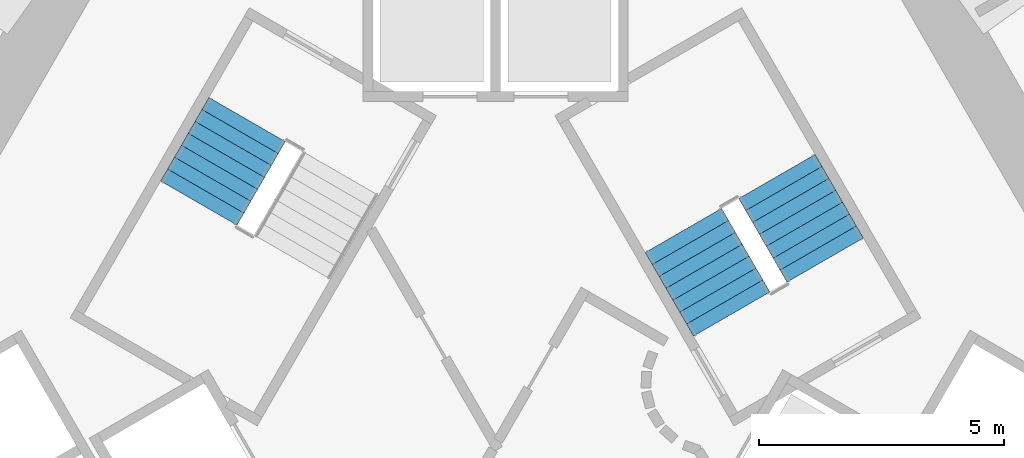
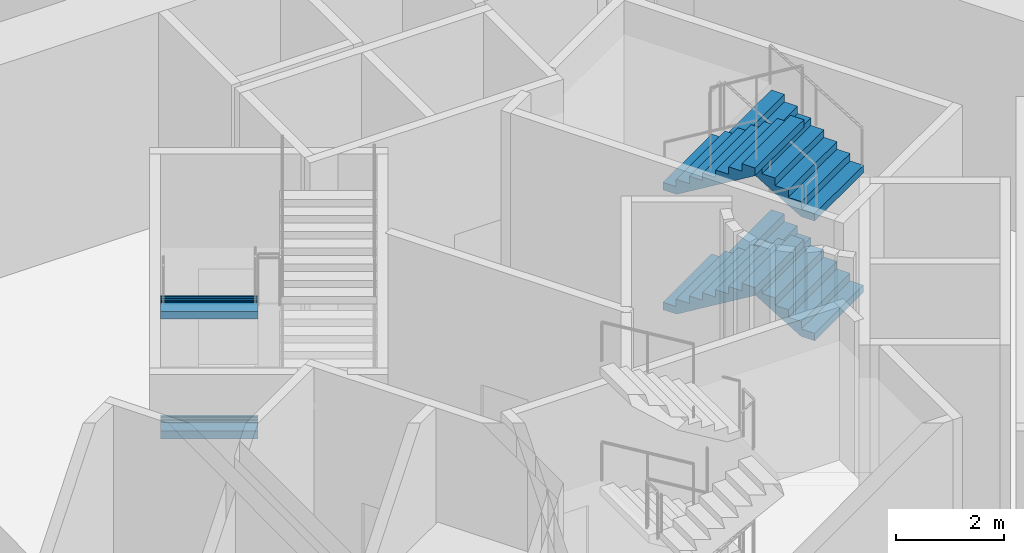
# One storey, part 12 of 20: 6 stair flights, 2 elements without a shape of their own.
"""IFC4 building model written with IfcOpenShell, lengths in metres."""

from ifc_helpers import new_model, si_unit, direction, frame, origin, place, context, subcontext, project, spatial, triangles, material, type_object, element, aggregate, save


model = new_model("IFC4")

# Units and contexts
model_context = context("Model", 3, precision=1e-05, world=origin(), true_north=direction((0.0, 1.0)))
body_context = subcontext(model_context, "Body", "Model", "MODEL_VIEW")
ifc_project = project(units=[si_unit("LENGTHUNIT", "METRE"), si_unit("AREAUNIT", "SQUARE_METRE"), si_unit("VOLUMEUNIT", "CUBIC_METRE"), si_unit("PLANEANGLEUNIT", "RADIAN"), si_unit("MASSUNIT", "GRAM", prefix="KILO")], contexts=[model_context])

# Site, building, storey
site_placement = place(None, origin())
site = spatial("IfcSite", under=ifc_project, at=site_placement, CompositionType="ELEMENT")
building_placement = place(site_placement, origin())
building = spatial("IfcBuilding", under=site, at=building_placement, Name="Entoto Arch Interchange Tower", CompositionType="ELEMENT")
storey_placement = place(building_placement, frame((0.0, 0.0, 184.39990234375)))
storey = spatial("IfcBuildingStorey", under=building, at=storey_placement, Name="L41", CompositionType="ELEMENT", Elevation=184.39990234375)

# Stair, stair flights
ifc_material = material(Name="Concrete C40/50", Category="concrete")
stair_type = type_object("IfcStairType", Name="EXIT STAIR RC 1800", PredefinedType="HALF_TURN_STAIR", material=ifc_material)
stair_1_placement = place(storey_placement, origin())
stair_1 = element("IfcStair", 1, at=stair_1_placement, inside=storey, type_object=stair_type, Name="L41 Exit stair NE", PredefinedType="HALF_TURN_STAIR")
stair_flight_type = type_object("IfcStairFlightType", Name="EXIT STAIR FLIGHT RC 1800", PredefinedType="STRAIGHT", material=ifc_material)
stair_flight_1_placement = place(storey_placement, frame((6.7138671875, 4.470947265625, 0.0), z_axis=(0.0, 0.0, 1.0), x_axis=(-0.5, 0.866025403784, 0.0)))
stair_flight_1 = element("IfcStairFlight", 2, at=stair_flight_1_placement, type_object=stair_flight_type, Name="ST-NE flight 1", NumberOfRisers=8, NumberOfTreads=7, PredefinedType="STRAIGHT", RiserHeight=0.16875, TreadLength=0.28, context=body_context, shape_type="Tessellation", body=[
    triangles([(-0.003, -0.900024, 0.0), (-0.003, -0.900024, 0.16875), (0.28, -0.900024, 0.16875), (0.28, -0.900024, 0.3375), (0.56, -0.900024, 0.3375), (0.56, -0.900024, 0.50625), (0.84, -0.900024, 0.50625), (0.84, -0.900024, 0.675), (1.12, -0.900024, 0.675), (1.12, -0.900024, 0.84375), (1.4, -0.900024, 0.84375), (1.4, -0.900024, 1.0125), (1.68, -0.900024, 1.0125), (1.68, -0.900024, 1.18125), (1.96, -0.900024, 1.18125), (1.963, -0.900024, 1.18125), (1.963, -0.900024, 1.008036), (0.290406, -0.900024, 0.0), (-0.003, 0.900024, 0.0), (-0.003, 0.900024, 0.16875), (0.28, 0.900024, 0.16875), (0.28, 0.900024, 0.3375), (0.56, 0.900024, 0.3375), (0.56, 0.900024, 0.50625), (0.84, 0.900024, 0.50625), (0.84, 0.900024, 0.675), (1.12, 0.900024, 0.675), (1.12, 0.900024, 0.84375), (1.4, 0.900024, 0.84375), (1.4, 0.900024, 1.0125), (1.68, 0.900024, 1.0125), (1.68, 0.900024, 1.18125), (1.96, 0.900024, 1.18125), (1.963, 0.900024, 1.18125), (1.963, 0.900024, 1.008036), (0.290406, 0.900024, 0.0), (-0.003, -0.450012, 0.0), (-0.003, -0.450012, 0.16875), (-0.003, 0.0, 0.0), (-0.003, 0.0, 0.16875), (-0.003, 0.450012, 0.0), (-0.003, 0.450012, 0.16875), (0.28, -0.450012, 0.16875), (0.28, 0.0, 0.16875), (0.28, 0.450012, 0.16875), (0.28, -0.450012, 0.3375), (0.28, 0.0, 0.3375), (0.28, 0.450012, 0.3375), (0.56, -0.450012, 0.3375), (0.56, 0.0, 0.3375), (0.56, 0.450012, 0.3375), (0.56, -0.450012, 0.50625), (0.56, 0.0, 0.50625), (0.56, 0.450012, 0.50625), (0.84, -0.450012, 0.50625), (0.84, 0.0, 0.50625), (0.84, 0.450012, 0.50625), (0.84, -0.450012, 0.675), (0.84, 0.0, 0.675), (0.84, 0.450012, 0.675), (1.12, -0.450012, 0.675), (1.12, 0.0, 0.675), (1.12, 0.450012, 0.675), (1.12, -0.450012, 0.84375), (1.12, 0.0, 0.84375), (1.12, 0.450012, 0.84375), (1.4, -0.450012, 0.84375), (1.4, 0.0, 0.84375), (1.4, 0.450012, 0.84375), (1.4, -0.450012, 1.0125), (1.4, 0.0, 1.0125), (1.4, 0.450012, 1.0125), (1.68, -0.450012, 1.0125), (1.68, 0.0, 1.0125), (1.68, 0.450012, 1.0125), (1.68, -0.450012, 1.18125), (1.68, 0.0, 1.18125), (1.68, 0.450012, 1.18125), (1.96, -0.450012, 1.18125), (1.96, 0.0, 1.18125), (1.96, 0.450012, 1.18125), (1.963, -0.450012, 1.18125), (1.963, 0.0, 1.18125), (1.963, 0.450012, 1.18125), (1.963, -0.450012, 1.008036), (1.963, 0.0, 1.008036), (1.963, 0.450012, 1.008036), (0.290406, -0.450012, 0.0), (0.290406, 0.0, 0.0), (0.290406, 0.450012, 0.0)], [[1, 18, 17], [17, 16, 15], [17, 15, 14], [17, 14, 13], [17, 13, 12], [17, 12, 11], [11, 10, 9], [17, 11, 9], [9, 8, 7], [17, 9, 7], [7, 6, 5], [17, 7, 5], [5, 4, 3], [17, 5, 3], [1, 17, 3], [3, 2, 1], [19, 35, 36], [35, 33, 34], [35, 32, 33], [35, 31, 32], [35, 30, 31], [35, 29, 30], [29, 27, 28], [35, 27, 29], [27, 25, 26], [35, 25, 27], [25, 23, 24], [35, 23, 25], [23, 21, 22], [35, 21, 23], [19, 21, 35], [21, 19, 20], [1, 2, 38], [1, 38, 37], [37, 38, 40], [37, 40, 39], [39, 40, 42], [39, 42, 41], [41, 42, 20], [41, 20, 19], [2, 3, 43], [2, 43, 38], [38, 43, 44], [38, 44, 40], [40, 44, 45], [40, 45, 42], [42, 45, 21], [42, 21, 20], [3, 4, 46], [3, 46, 43], [43, 46, 47], [43, 47, 44], [44, 47, 48], [44, 48, 45], [45, 48, 22], [45, 22, 21], [4, 5, 49], [4, 49, 46], [46, 49, 50], [46, 50, 47], [47, 50, 51], [47, 51, 48], [48, 51, 23], [48, 23, 22], [5, 6, 52], [5, 52, 49], [49, 52, 53], [49, 53, 50], [50, 53, 54], [50, 54, 51], [51, 54, 24], [51, 24, 23], [6, 7, 55], [6, 55, 52], [52, 55, 56], [52, 56, 53], [53, 56, 57], [53, 57, 54], [54, 57, 25], [54, 25, 24], [7, 8, 58], [7, 58, 55], [55, 58, 59], [55, 59, 56], [56, 59, 60], [56, 60, 57], [57, 60, 26], [57, 26, 25], [8, 9, 61], [8, 61, 58], [58, 61, 62], [58, 62, 59], [59, 62, 63], [59, 63, 60], [60, 63, 27], [60, 27, 26], [9, 10, 64], [9, 64, 61], [61, 64, 65], [61, 65, 62], [62, 65, 66], [62, 66, 63], [63, 66, 28], [63, 28, 27], [10, 11, 67], [10, 67, 64], [64, 67, 68], [64, 68, 65], [65, 68, 69], [65, 69, 66], [66, 69, 29], [66, 29, 28], [11, 12, 70], [11, 70, 67], [67, 70, 71], [67, 71, 68], [68, 71, 72], [68, 72, 69], [69, 72, 30], [69, 30, 29], [12, 13, 73], [12, 73, 70], [70, 73, 74], [70, 74, 71], [71, 74, 75], [71, 75, 72], [72, 75, 31], [72, 31, 30], [13, 14, 76], [13, 76, 73], [73, 76, 77], [73, 77, 74], [74, 77, 78], [74, 78, 75], [75, 78, 32], [75, 32, 31], [14, 15, 79], [14, 79, 76], [76, 79, 80], [76, 80, 77], [77, 80, 81], [77, 81, 78], [78, 81, 33], [78, 33, 32], [15, 16, 82], [15, 82, 79], [79, 82, 83], [79, 83, 80], [80, 83, 84], [80, 84, 81], [81, 84, 34], [81, 34, 33], [16, 17, 85], [16, 85, 82], [82, 85, 86], [82, 86, 83], [83, 86, 87], [83, 87, 84], [84, 87, 35], [84, 35, 34], [17, 18, 88], [17, 88, 85], [85, 88, 89], [85, 89, 86], [86, 89, 90], [86, 90, 87], [87, 90, 36], [87, 36, 35], [18, 1, 37], [18, 37, 88], [88, 37, 39], [88, 39, 89], [89, 39, 41], [89, 41, 90], [90, 41, 19], [90, 19, 36]], closed=True),
])
stair_flight_2_placement = place(storey_placement, frame((3.82861328125, 5.068359375, 1.35009765625), z_axis=(0.0, 0.0, 1.0), x_axis=(0.5, -0.866025403784, 0.0)))
stair_flight_2 = element("IfcStairFlight", 3, at=stair_flight_2_placement, type_object=stair_flight_type, Name="ST-NE flight 2", NumberOfRisers=8, NumberOfTreads=7, PredefinedType="STRAIGHT", RiserHeight=0.16875, TreadLength=0.28, context=body_context, shape_type="Tessellation", body=[
    triangles([(-0.003, -0.900024, 0.0), (-0.003, -0.900024, 0.16875), (0.28, -0.900024, 0.16875), (0.28, -0.900024, 0.3375), (0.56, -0.900024, 0.3375), (0.56, -0.900024, 0.50625), (0.84, -0.900024, 0.50625), (0.84, -0.900024, 0.675), (1.12, -0.900024, 0.675), (1.12, -0.900024, 0.84375), (1.4, -0.900024, 0.84375), (1.4, -0.900024, 1.0125), (1.68, -0.900024, 1.0125), (1.68, -0.900024, 1.18125), (1.96, -0.900024, 1.18125), (1.963, -0.900024, 1.18125), (1.963, -0.900024, 1.008036), (0.290406, -0.900024, 0.0), (-0.003, 0.900024, 0.0), (-0.003, 0.900024, 0.16875), (0.28, 0.900024, 0.16875), (0.28, 0.900024, 0.3375), (0.56, 0.900024, 0.3375), (0.56, 0.900024, 0.50625), (0.84, 0.900024, 0.50625), (0.84, 0.900024, 0.675), (1.12, 0.900024, 0.675), (1.12, 0.900024, 0.84375), (1.4, 0.900024, 0.84375), (1.4, 0.900024, 1.0125), (1.68, 0.900024, 1.0125), (1.68, 0.900024, 1.18125), (1.96, 0.900024, 1.18125), (1.963, 0.900024, 1.18125), (1.963, 0.900024, 1.008036), (0.290406, 0.900024, 0.0), (-0.003, -0.450012, 0.0), (-0.003, -0.450012, 0.16875), (-0.003, 0.0, 0.0), (-0.003, 0.0, 0.16875), (-0.003, 0.450012, 0.0), (-0.003, 0.450012, 0.16875), (0.28, -0.450012, 0.16875), (0.28, 0.0, 0.16875), (0.28, 0.450012, 0.16875), (0.28, -0.450012, 0.3375), (0.28, 0.0, 0.3375), (0.28, 0.450012, 0.3375), (0.56, -0.450012, 0.3375), (0.56, 0.0, 0.3375), (0.56, 0.450012, 0.3375), (0.56, -0.450012, 0.50625), (0.56, 0.0, 0.50625), (0.56, 0.450012, 0.50625), (0.84, -0.450012, 0.50625), (0.84, 0.0, 0.50625), (0.84, 0.450012, 0.50625), (0.84, -0.450012, 0.675), (0.84, 0.0, 0.675), (0.84, 0.450012, 0.675), (1.12, -0.450012, 0.675), (1.12, 0.0, 0.675), (1.12, 0.450012, 0.675), (1.12, -0.450012, 0.84375), (1.12, 0.0, 0.84375), (1.12, 0.450012, 0.84375), (1.4, -0.450012, 0.84375), (1.4, 0.0, 0.84375), (1.4, 0.450012, 0.84375), (1.4, -0.450012, 1.0125), (1.4, 0.0, 1.0125), (1.4, 0.450012, 1.0125), (1.68, -0.450012, 1.0125), (1.68, 0.0, 1.0125), (1.68, 0.450012, 1.0125), (1.68, -0.450012, 1.18125), (1.68, 0.0, 1.18125), (1.68, 0.450012, 1.18125), (1.96, -0.450012, 1.18125), (1.96, 0.0, 1.18125), (1.96, 0.450012, 1.18125), (1.963, -0.450012, 1.18125), (1.963, 0.0, 1.18125), (1.963, 0.450012, 1.18125), (1.963, -0.450012, 1.008036), (1.963, 0.0, 1.008036), (1.963, 0.450012, 1.008036), (0.290406, -0.450012, 0.0), (0.290406, 0.0, 0.0), (0.290406, 0.450012, 0.0)], [[1, 18, 17], [17, 16, 15], [17, 15, 14], [17, 14, 13], [17, 13, 12], [17, 12, 11], [11, 10, 9], [17, 11, 9], [9, 8, 7], [17, 9, 7], [7, 6, 5], [17, 7, 5], [5, 4, 3], [17, 5, 3], [1, 17, 3], [3, 2, 1], [19, 35, 36], [35, 33, 34], [35, 32, 33], [35, 31, 32], [35, 30, 31], [35, 29, 30], [29, 27, 28], [35, 27, 29], [27, 25, 26], [35, 25, 27], [25, 23, 24], [35, 23, 25], [23, 21, 22], [35, 21, 23], [19, 21, 35], [21, 19, 20], [1, 2, 38], [1, 38, 37], [37, 38, 40], [37, 40, 39], [39, 40, 42], [39, 42, 41], [41, 42, 20], [41, 20, 19], [2, 3, 43], [2, 43, 38], [38, 43, 44], [38, 44, 40], [40, 44, 45], [40, 45, 42], [42, 45, 21], [42, 21, 20], [3, 4, 46], [3, 46, 43], [43, 46, 47], [43, 47, 44], [44, 47, 48], [44, 48, 45], [45, 48, 22], [45, 22, 21], [4, 5, 49], [4, 49, 46], [46, 49, 50], [46, 50, 47], [47, 50, 51], [47, 51, 48], [48, 51, 23], [48, 23, 22], [5, 6, 52], [5, 52, 49], [49, 52, 53], [49, 53, 50], [50, 53, 54], [50, 54, 51], [51, 54, 24], [51, 24, 23], [6, 7, 55], [6, 55, 52], [52, 55, 56], [52, 56, 53], [53, 56, 57], [53, 57, 54], [54, 57, 25], [54, 25, 24], [7, 8, 58], [7, 58, 55], [55, 58, 59], [55, 59, 56], [56, 59, 60], [56, 60, 57], [57, 60, 26], [57, 26, 25], [8, 9, 61], [8, 61, 58], [58, 61, 62], [58, 62, 59], [59, 62, 63], [59, 63, 60], [60, 63, 27], [60, 27, 26], [9, 10, 64], [9, 64, 61], [61, 64, 65], [61, 65, 62], [62, 65, 66], [62, 66, 63], [63, 66, 28], [63, 28, 27], [10, 11, 67], [10, 67, 64], [64, 67, 68], [64, 68, 65], [65, 68, 69], [65, 69, 66], [66, 69, 29], [66, 29, 28], [11, 12, 70], [11, 70, 67], [67, 70, 71], [67, 71, 68], [68, 71, 72], [68, 72, 69], [69, 72, 30], [69, 30, 29], [12, 13, 73], [12, 73, 70], [70, 73, 74], [70, 74, 71], [71, 74, 75], [71, 75, 72], [72, 75, 31], [72, 31, 30], [13, 14, 76], [13, 76, 73], [73, 76, 77], [73, 77, 74], [74, 77, 78], [74, 78, 75], [75, 78, 32], [75, 32, 31], [14, 15, 79], [14, 79, 76], [76, 79, 80], [76, 80, 77], [77, 80, 81], [77, 81, 78], [78, 81, 33], [78, 33, 32], [15, 16, 82], [15, 82, 79], [79, 82, 83], [79, 83, 80], [80, 83, 84], [80, 84, 81], [81, 84, 34], [81, 34, 33], [16, 17, 85], [16, 85, 82], [82, 85, 86], [82, 86, 83], [83, 86, 87], [83, 87, 84], [84, 87, 35], [84, 35, 34], [17, 18, 88], [17, 88, 85], [85, 88, 89], [85, 89, 86], [86, 89, 90], [86, 90, 87], [87, 90, 36], [87, 36, 35], [18, 1, 37], [18, 37, 88], [88, 37, 39], [88, 39, 89], [89, 39, 41], [89, 41, 90], [90, 41, 19], [90, 19, 36]], closed=True),
])
stair_flight_3_placement = place(storey_placement, frame((6.7138671875, 4.470947265625, 2.7001953125), z_axis=(0.0, 0.0, 1.0), x_axis=(-0.5, 0.866025403784, 0.0)))
stair_flight_3 = element("IfcStairFlight", 4, at=stair_flight_3_placement, type_object=stair_flight_type, Name="ST-NE flight 3", NumberOfRisers=8, NumberOfTreads=7, PredefinedType="STRAIGHT", RiserHeight=0.16875, TreadLength=0.28, context=body_context, shape_type="Tessellation", body=[
    triangles([(-0.003, -0.900024, 0.0), (-0.003, -0.900024, 0.16875), (0.28, -0.900024, 0.16875), (0.28, -0.900024, 0.3375), (0.56, -0.900024, 0.3375), (0.56, -0.900024, 0.50625), (0.84, -0.900024, 0.50625), (0.84, -0.900024, 0.675), (1.12, -0.900024, 0.675), (1.12, -0.900024, 0.84375), (1.4, -0.900024, 0.84375), (1.4, -0.900024, 1.0125), (1.68, -0.900024, 1.0125), (1.68, -0.900024, 1.18125), (1.96, -0.900024, 1.18125), (1.963, -0.900024, 1.18125), (1.963, -0.900024, 1.008036), (0.290406, -0.900024, 0.0), (-0.003, 0.900024, 0.0), (-0.003, 0.900024, 0.16875), (0.28, 0.900024, 0.16875), (0.28, 0.900024, 0.3375), (0.56, 0.900024, 0.3375), (0.56, 0.900024, 0.50625), (0.84, 0.900024, 0.50625), (0.84, 0.900024, 0.675), (1.12, 0.900024, 0.675), (1.12, 0.900024, 0.84375), (1.4, 0.900024, 0.84375), (1.4, 0.900024, 1.0125), (1.68, 0.900024, 1.0125), (1.68, 0.900024, 1.18125), (1.96, 0.900024, 1.18125), (1.963, 0.900024, 1.18125), (1.963, 0.900024, 1.008036), (0.290406, 0.900024, 0.0), (-0.003, -0.450012, 0.0), (-0.003, -0.450012, 0.16875), (-0.003, 0.0, 0.0), (-0.003, 0.0, 0.16875), (-0.003, 0.450012, 0.0), (-0.003, 0.450012, 0.16875), (0.28, -0.450012, 0.16875), (0.28, 0.0, 0.16875), (0.28, 0.450012, 0.16875), (0.28, -0.450012, 0.3375), (0.28, 0.0, 0.3375), (0.28, 0.450012, 0.3375), (0.56, -0.450012, 0.3375), (0.56, 0.0, 0.3375), (0.56, 0.450012, 0.3375), (0.56, -0.450012, 0.50625), (0.56, 0.0, 0.50625), (0.56, 0.450012, 0.50625), (0.84, -0.450012, 0.50625), (0.84, 0.0, 0.50625), (0.84, 0.450012, 0.50625), (0.84, -0.450012, 0.675), (0.84, 0.0, 0.675), (0.84, 0.450012, 0.675), (1.12, -0.450012, 0.675), (1.12, 0.0, 0.675), (1.12, 0.450012, 0.675), (1.12, -0.450012, 0.84375), (1.12, 0.0, 0.84375), (1.12, 0.450012, 0.84375), (1.4, -0.450012, 0.84375), (1.4, 0.0, 0.84375), (1.4, 0.450012, 0.84375), (1.4, -0.450012, 1.0125), (1.4, 0.0, 1.0125), (1.4, 0.450012, 1.0125), (1.68, -0.450012, 1.0125), (1.68, 0.0, 1.0125), (1.68, 0.450012, 1.0125), (1.68, -0.450012, 1.18125), (1.68, 0.0, 1.18125), (1.68, 0.450012, 1.18125), (1.96, -0.450012, 1.18125), (1.96, 0.0, 1.18125), (1.96, 0.450012, 1.18125), (1.963, -0.450012, 1.18125), (1.963, 0.0, 1.18125), (1.963, 0.450012, 1.18125), (1.963, -0.450012, 1.008036), (1.963, 0.0, 1.008036), (1.963, 0.450012, 1.008036), (0.290406, -0.450012, 0.0), (0.290406, 0.0, 0.0), (0.290406, 0.450012, 0.0)], [[1, 18, 17], [17, 16, 15], [17, 15, 14], [17, 14, 13], [17, 13, 12], [17, 12, 11], [11, 10, 9], [17, 11, 9], [9, 8, 7], [17, 9, 7], [7, 6, 5], [17, 7, 5], [5, 4, 3], [17, 5, 3], [1, 17, 3], [3, 2, 1], [19, 35, 36], [35, 33, 34], [35, 32, 33], [35, 31, 32], [35, 30, 31], [35, 29, 30], [29, 27, 28], [35, 27, 29], [27, 25, 26], [35, 25, 27], [25, 23, 24], [35, 23, 25], [23, 21, 22], [35, 21, 23], [19, 21, 35], [21, 19, 20], [1, 2, 38], [1, 38, 37], [37, 38, 40], [37, 40, 39], [39, 40, 42], [39, 42, 41], [41, 42, 20], [41, 20, 19], [2, 3, 43], [2, 43, 38], [38, 43, 44], [38, 44, 40], [40, 44, 45], [40, 45, 42], [42, 45, 21], [42, 21, 20], [3, 4, 46], [3, 46, 43], [43, 46, 47], [43, 47, 44], [44, 47, 48], [44, 48, 45], [45, 48, 22], [45, 22, 21], [4, 5, 49], [4, 49, 46], [46, 49, 50], [46, 50, 47], [47, 50, 51], [47, 51, 48], [48, 51, 23], [48, 23, 22], [5, 6, 52], [5, 52, 49], [49, 52, 53], [49, 53, 50], [50, 53, 54], [50, 54, 51], [51, 54, 24], [51, 24, 23], [6, 7, 55], [6, 55, 52], [52, 55, 56], [52, 56, 53], [53, 56, 57], [53, 57, 54], [54, 57, 25], [54, 25, 24], [7, 8, 58], [7, 58, 55], [55, 58, 59], [55, 59, 56], [56, 59, 60], [56, 60, 57], [57, 60, 26], [57, 26, 25], [8, 9, 61], [8, 61, 58], [58, 61, 62], [58, 62, 59], [59, 62, 63], [59, 63, 60], [60, 63, 27], [60, 27, 26], [9, 10, 64], [9, 64, 61], [61, 64, 65], [61, 65, 62], [62, 65, 66], [62, 66, 63], [63, 66, 28], [63, 28, 27], [10, 11, 67], [10, 67, 64], [64, 67, 68], [64, 68, 65], [65, 68, 69], [65, 69, 66], [66, 69, 29], [66, 29, 28], [11, 12, 70], [11, 70, 67], [67, 70, 71], [67, 71, 68], [68, 71, 72], [68, 72, 69], [69, 72, 30], [69, 30, 29], [12, 13, 73], [12, 73, 70], [70, 73, 74], [70, 74, 71], [71, 74, 75], [71, 75, 72], [72, 75, 31], [72, 31, 30], [13, 14, 76], [13, 76, 73], [73, 76, 77], [73, 77, 74], [74, 77, 78], [74, 78, 75], [75, 78, 32], [75, 32, 31], [14, 15, 79], [14, 79, 76], [76, 79, 80], [76, 80, 77], [77, 80, 81], [77, 81, 78], [78, 81, 33], [78, 33, 32], [15, 16, 82], [15, 82, 79], [79, 82, 83], [79, 83, 80], [80, 83, 84], [80, 84, 81], [81, 84, 34], [81, 34, 33], [16, 17, 85], [16, 85, 82], [82, 85, 86], [82, 86, 83], [83, 86, 87], [83, 87, 84], [84, 87, 35], [84, 35, 34], [17, 18, 88], [17, 88, 85], [85, 88, 89], [85, 89, 86], [86, 89, 90], [86, 90, 87], [87, 90, 36], [87, 36, 35], [18, 1, 37], [18, 37, 88], [88, 37, 39], [88, 39, 89], [89, 39, 41], [89, 41, 90], [90, 41, 19], [90, 19, 36]], closed=True),
])
stair_flight_4_placement = place(storey_placement, frame((3.82861328125, 5.068359375, 4.050048828125), z_axis=(0.0, 0.0, 1.0), x_axis=(0.5, -0.866025403784, 0.0)))
stair_flight_4 = element("IfcStairFlight", 5, at=stair_flight_4_placement, type_object=stair_flight_type, Name="ST-NE flight 4", NumberOfRisers=8, NumberOfTreads=7, PredefinedType="STRAIGHT", RiserHeight=0.16875, TreadLength=0.28, context=body_context, shape_type="Tessellation", body=[
    triangles([(-0.003, -0.900024, 0.0), (-0.003, -0.900024, 0.16875), (0.28, -0.900024, 0.16875), (0.28, -0.900024, 0.3375), (0.56, -0.900024, 0.3375), (0.56, -0.900024, 0.50625), (0.84, -0.900024, 0.50625), (0.84, -0.900024, 0.675), (1.12, -0.900024, 0.675), (1.12, -0.900024, 0.84375), (1.4, -0.900024, 0.84375), (1.4, -0.900024, 1.0125), (1.68, -0.900024, 1.0125), (1.68, -0.900024, 1.18125), (1.96, -0.900024, 1.18125), (1.963, -0.900024, 1.18125), (1.963, -0.900024, 1.008036), (0.290406, -0.900024, 0.0), (-0.003, 0.900024, 0.0), (-0.003, 0.900024, 0.16875), (0.28, 0.900024, 0.16875), (0.28, 0.900024, 0.3375), (0.56, 0.900024, 0.3375), (0.56, 0.900024, 0.50625), (0.84, 0.900024, 0.50625), (0.84, 0.900024, 0.675), (1.12, 0.900024, 0.675), (1.12, 0.900024, 0.84375), (1.4, 0.900024, 0.84375), (1.4, 0.900024, 1.0125), (1.68, 0.900024, 1.0125), (1.68, 0.900024, 1.18125), (1.96, 0.900024, 1.18125), (1.963, 0.900024, 1.18125), (1.963, 0.900024, 1.008036), (0.290406, 0.900024, 0.0), (-0.003, -0.450012, 0.0), (-0.003, -0.450012, 0.16875), (-0.003, 0.0, 0.0), (-0.003, 0.0, 0.16875), (-0.003, 0.450012, 0.0), (-0.003, 0.450012, 0.16875), (0.28, -0.450012, 0.16875), (0.28, 0.0, 0.16875), (0.28, 0.450012, 0.16875), (0.28, -0.450012, 0.3375), (0.28, 0.0, 0.3375), (0.28, 0.450012, 0.3375), (0.56, -0.450012, 0.3375), (0.56, 0.0, 0.3375), (0.56, 0.450012, 0.3375), (0.56, -0.450012, 0.50625), (0.56, 0.0, 0.50625), (0.56, 0.450012, 0.50625), (0.84, -0.450012, 0.50625), (0.84, 0.0, 0.50625), (0.84, 0.450012, 0.50625), (0.84, -0.450012, 0.675), (0.84, 0.0, 0.675), (0.84, 0.450012, 0.675), (1.12, -0.450012, 0.675), (1.12, 0.0, 0.675), (1.12, 0.450012, 0.675), (1.12, -0.450012, 0.84375), (1.12, 0.0, 0.84375), (1.12, 0.450012, 0.84375), (1.4, -0.450012, 0.84375), (1.4, 0.0, 0.84375), (1.4, 0.450012, 0.84375), (1.4, -0.450012, 1.0125), (1.4, 0.0, 1.0125), (1.4, 0.450012, 1.0125), (1.68, -0.450012, 1.0125), (1.68, 0.0, 1.0125), (1.68, 0.450012, 1.0125), (1.68, -0.450012, 1.18125), (1.68, 0.0, 1.18125), (1.68, 0.450012, 1.18125), (1.96, -0.450012, 1.18125), (1.96, 0.0, 1.18125), (1.96, 0.450012, 1.18125), (1.963, -0.450012, 1.18125), (1.963, 0.0, 1.18125), (1.963, 0.450012, 1.18125), (1.963, -0.450012, 1.008036), (1.963, 0.0, 1.008036), (1.963, 0.450012, 1.008036), (0.290406, -0.450012, 0.0), (0.290406, 0.0, 0.0), (0.290406, 0.450012, 0.0)], [[1, 18, 17], [17, 16, 15], [17, 15, 14], [17, 14, 13], [17, 13, 12], [17, 12, 11], [11, 10, 9], [17, 11, 9], [9, 8, 7], [17, 9, 7], [7, 6, 5], [17, 7, 5], [5, 4, 3], [17, 5, 3], [1, 17, 3], [3, 2, 1], [19, 35, 36], [35, 33, 34], [35, 32, 33], [35, 31, 32], [35, 30, 31], [35, 29, 30], [29, 27, 28], [35, 27, 29], [27, 25, 26], [35, 25, 27], [25, 23, 24], [35, 23, 25], [23, 21, 22], [35, 21, 23], [19, 21, 35], [21, 19, 20], [1, 2, 38], [1, 38, 37], [37, 38, 40], [37, 40, 39], [39, 40, 42], [39, 42, 41], [41, 42, 20], [41, 20, 19], [2, 3, 43], [2, 43, 38], [38, 43, 44], [38, 44, 40], [40, 44, 45], [40, 45, 42], [42, 45, 21], [42, 21, 20], [3, 4, 46], [3, 46, 43], [43, 46, 47], [43, 47, 44], [44, 47, 48], [44, 48, 45], [45, 48, 22], [45, 22, 21], [4, 5, 49], [4, 49, 46], [46, 49, 50], [46, 50, 47], [47, 50, 51], [47, 51, 48], [48, 51, 23], [48, 23, 22], [5, 6, 52], [5, 52, 49], [49, 52, 53], [49, 53, 50], [50, 53, 54], [50, 54, 51], [51, 54, 24], [51, 24, 23], [6, 7, 55], [6, 55, 52], [52, 55, 56], [52, 56, 53], [53, 56, 57], [53, 57, 54], [54, 57, 25], [54, 25, 24], [7, 8, 58], [7, 58, 55], [55, 58, 59], [55, 59, 56], [56, 59, 60], [56, 60, 57], [57, 60, 26], [57, 26, 25], [8, 9, 61], [8, 61, 58], [58, 61, 62], [58, 62, 59], [59, 62, 63], [59, 63, 60], [60, 63, 27], [60, 27, 26], [9, 10, 64], [9, 64, 61], [61, 64, 65], [61, 65, 62], [62, 65, 66], [62, 66, 63], [63, 66, 28], [63, 28, 27], [10, 11, 67], [10, 67, 64], [64, 67, 68], [64, 68, 65], [65, 68, 69], [65, 69, 66], [66, 69, 29], [66, 29, 28], [11, 12, 70], [11, 70, 67], [67, 70, 71], [67, 71, 68], [68, 71, 72], [68, 72, 69], [69, 72, 30], [69, 30, 29], [12, 13, 73], [12, 73, 70], [70, 73, 74], [70, 74, 71], [71, 74, 75], [71, 75, 72], [72, 75, 31], [72, 31, 30], [13, 14, 76], [13, 76, 73], [73, 76, 77], [73, 77, 74], [74, 77, 78], [74, 78, 75], [75, 78, 32], [75, 32, 31], [14, 15, 79], [14, 79, 76], [76, 79, 80], [76, 80, 77], [77, 80, 81], [77, 81, 78], [78, 81, 33], [78, 33, 32], [15, 16, 82], [15, 82, 79], [79, 82, 83], [79, 83, 80], [80, 83, 84], [80, 84, 81], [81, 84, 34], [81, 34, 33], [16, 17, 85], [16, 85, 82], [82, 85, 86], [82, 86, 83], [83, 86, 87], [83, 87, 84], [84, 87, 35], [84, 35, 34], [17, 18, 88], [17, 88, 85], [85, 88, 89], [85, 89, 86], [86, 89, 90], [86, 90, 87], [87, 90, 36], [87, 36, 35], [18, 1, 37], [18, 37, 88], [88, 37, 39], [88, 39, 89], [89, 39, 41], [89, 41, 90], [90, 41, 19], [90, 19, 36]], closed=True),
])
aggregate(stair_1, [stair_flight_1, stair_flight_2, stair_flight_3, stair_flight_4])

stair_2_placement = place(storey_placement, origin())
stair_2 = element("IfcStair", 6, at=stair_2_placement, inside=storey, type_object=stair_type, Name="L41 Exit stair NW", PredefinedType="HALF_TURN_STAIR")
stair_flight_5_placement = place(storey_placement, frame((-5.06396484375, 7.328857421875, 0.0), z_axis=(0.0, 0.0, 1.0), x_axis=(-0.5, -0.866025403784, 0.0)))
stair_flight_5 = element("IfcStairFlight", 7, at=stair_flight_5_placement, type_object=stair_flight_type, Name="ST-NW flight 1", NumberOfRisers=8, NumberOfTreads=7, PredefinedType="STRAIGHT", RiserHeight=0.16875, TreadLength=0.28, context=body_context, shape_type="Tessellation", body=[
    triangles([(-0.003, -0.900024, 0.0), (-0.003, -0.900024, 0.16875), (0.28, -0.900024, 0.16875), (0.28, -0.900024, 0.3375), (0.56, -0.900024, 0.3375), (0.56, -0.900024, 0.50625), (0.84, -0.900024, 0.50625), (0.84, -0.900024, 0.675), (1.12, -0.900024, 0.675), (1.12, -0.900024, 0.84375), (1.4, -0.900024, 0.84375), (1.4, -0.900024, 1.0125), (1.68, -0.900024, 1.0125), (1.68, -0.900024, 1.18125), (1.96, -0.900024, 1.18125), (1.963, -0.900024, 1.18125), (1.963, -0.900024, 1.008036), (0.290406, -0.900024, 0.0), (-0.003, 0.900024, 0.0), (-0.003, 0.900024, 0.16875), (0.28, 0.900024, 0.16875), (0.28, 0.900024, 0.3375), (0.56, 0.900024, 0.3375), (0.56, 0.900024, 0.50625), (0.84, 0.900024, 0.50625), (0.84, 0.900024, 0.675), (1.12, 0.900024, 0.675), (1.12, 0.900024, 0.84375), (1.4, 0.900024, 0.84375), (1.4, 0.900024, 1.0125), (1.68, 0.900024, 1.0125), (1.68, 0.900024, 1.18125), (1.96, 0.900024, 1.18125), (1.963, 0.900024, 1.18125), (1.963, 0.900024, 1.008036), (0.290406, 0.900024, 0.0), (-0.003, -0.450012, 0.0), (-0.003, -0.450012, 0.16875), (-0.003, 0.0, 0.0), (-0.003, 0.0, 0.16875), (-0.003, 0.450012, 0.0), (-0.003, 0.450012, 0.16875), (0.28, -0.450012, 0.16875), (0.28, 0.0, 0.16875), (0.28, 0.450012, 0.16875), (0.28, -0.450012, 0.3375), (0.28, 0.0, 0.3375), (0.28, 0.450012, 0.3375), (0.56, -0.450012, 0.3375), (0.56, 0.0, 0.3375), (0.56, 0.450012, 0.3375), (0.56, -0.450012, 0.50625), (0.56, 0.0, 0.50625), (0.56, 0.450012, 0.50625), (0.84, -0.450012, 0.50625), (0.84, 0.0, 0.50625), (0.84, 0.450012, 0.50625), (0.84, -0.450012, 0.675), (0.84, 0.0, 0.675), (0.84, 0.450012, 0.675), (1.12, -0.450012, 0.675), (1.12, 0.0, 0.675), (1.12, 0.450012, 0.675), (1.12, -0.450012, 0.84375), (1.12, 0.0, 0.84375), (1.12, 0.450012, 0.84375), (1.4, -0.450012, 0.84375), (1.4, 0.0, 0.84375), (1.4, 0.450012, 0.84375), (1.4, -0.450012, 1.0125), (1.4, 0.0, 1.0125), (1.4, 0.450012, 1.0125), (1.68, -0.450012, 1.0125), (1.68, 0.0, 1.0125), (1.68, 0.450012, 1.0125), (1.68, -0.450012, 1.18125), (1.68, 0.0, 1.18125), (1.68, 0.450012, 1.18125), (1.96, -0.450012, 1.18125), (1.96, 0.0, 1.18125), (1.96, 0.450012, 1.18125), (1.963, -0.450012, 1.18125), (1.963, 0.0, 1.18125), (1.963, 0.450012, 1.18125), (1.963, -0.450012, 1.008036), (1.963, 0.0, 1.008036), (1.963, 0.450012, 1.008036), (0.290406, -0.450012, 0.0), (0.290406, 0.0, 0.0), (0.290406, 0.450012, 0.0)], [[1, 18, 17], [17, 16, 15], [17, 15, 14], [17, 14, 13], [17, 13, 12], [17, 12, 11], [11, 10, 9], [17, 11, 9], [9, 8, 7], [17, 9, 7], [7, 6, 5], [17, 7, 5], [5, 4, 3], [17, 5, 3], [1, 17, 3], [3, 2, 1], [19, 35, 36], [35, 33, 34], [35, 32, 33], [35, 31, 32], [35, 30, 31], [35, 29, 30], [29, 27, 28], [35, 27, 29], [27, 25, 26], [35, 25, 27], [25, 23, 24], [35, 23, 25], [23, 21, 22], [35, 21, 23], [19, 21, 35], [21, 19, 20], [1, 2, 38], [1, 38, 37], [37, 38, 40], [37, 40, 39], [39, 40, 42], [39, 42, 41], [41, 42, 20], [41, 20, 19], [2, 3, 43], [2, 43, 38], [38, 43, 44], [38, 44, 40], [40, 44, 45], [40, 45, 42], [42, 45, 21], [42, 21, 20], [3, 4, 46], [3, 46, 43], [43, 46, 47], [43, 47, 44], [44, 47, 48], [44, 48, 45], [45, 48, 22], [45, 22, 21], [4, 5, 49], [4, 49, 46], [46, 49, 50], [46, 50, 47], [47, 50, 51], [47, 51, 48], [48, 51, 23], [48, 23, 22], [5, 6, 52], [5, 52, 49], [49, 52, 53], [49, 53, 50], [50, 53, 54], [50, 54, 51], [51, 54, 24], [51, 24, 23], [6, 7, 55], [6, 55, 52], [52, 55, 56], [52, 56, 53], [53, 56, 57], [53, 57, 54], [54, 57, 25], [54, 25, 24], [7, 8, 58], [7, 58, 55], [55, 58, 59], [55, 59, 56], [56, 59, 60], [56, 60, 57], [57, 60, 26], [57, 26, 25], [8, 9, 61], [8, 61, 58], [58, 61, 62], [58, 62, 59], [59, 62, 63], [59, 63, 60], [60, 63, 27], [60, 27, 26], [9, 10, 64], [9, 64, 61], [61, 64, 65], [61, 65, 62], [62, 65, 66], [62, 66, 63], [63, 66, 28], [63, 28, 27], [10, 11, 67], [10, 67, 64], [64, 67, 68], [64, 68, 65], [65, 68, 69], [65, 69, 66], [66, 69, 29], [66, 29, 28], [11, 12, 70], [11, 70, 67], [67, 70, 71], [67, 71, 68], [68, 71, 72], [68, 72, 69], [69, 72, 30], [69, 30, 29], [12, 13, 73], [12, 73, 70], [70, 73, 74], [70, 74, 71], [71, 74, 75], [71, 75, 72], [72, 75, 31], [72, 31, 30], [13, 14, 76], [13, 76, 73], [73, 76, 77], [73, 77, 74], [74, 77, 78], [74, 78, 75], [75, 78, 32], [75, 32, 31], [14, 15, 79], [14, 79, 76], [76, 79, 80], [76, 80, 77], [77, 80, 81], [77, 81, 78], [78, 81, 33], [78, 33, 32], [15, 16, 82], [15, 82, 79], [79, 82, 83], [79, 83, 80], [80, 83, 84], [80, 84, 81], [81, 84, 34], [81, 34, 33], [16, 17, 85], [16, 85, 82], [82, 85, 86], [82, 86, 83], [83, 86, 87], [83, 87, 84], [84, 87, 35], [84, 35, 34], [17, 18, 88], [17, 88, 85], [85, 88, 89], [85, 89, 86], [86, 89, 90], [86, 90, 87], [87, 90, 36], [87, 36, 35], [18, 1, 37], [18, 37, 88], [88, 37, 39], [88, 39, 89], [89, 39, 41], [89, 41, 90], [90, 41, 19], [90, 19, 36]], closed=True),
])
stair_flight_6_placement = place(storey_placement, frame((-5.06396484375, 7.328857421875, 2.7001953125), z_axis=(0.0, 0.0, 1.0), x_axis=(-0.5, -0.866025403784, 0.0)))
stair_flight_6 = element("IfcStairFlight", 8, at=stair_flight_6_placement, type_object=stair_flight_type, Name="ST-NW flight 3", NumberOfRisers=8, NumberOfTreads=7, PredefinedType="STRAIGHT", RiserHeight=0.16875, TreadLength=0.28, context=body_context, shape_type="Tessellation", body=[
    triangles([(-0.003, -0.900024, 0.0), (-0.003, -0.900024, 0.16875), (0.28, -0.900024, 0.16875), (0.28, -0.900024, 0.3375), (0.56, -0.900024, 0.3375), (0.56, -0.900024, 0.50625), (0.84, -0.900024, 0.50625), (0.84, -0.900024, 0.675), (1.12, -0.900024, 0.675), (1.12, -0.900024, 0.84375), (1.4, -0.900024, 0.84375), (1.4, -0.900024, 1.0125), (1.68, -0.900024, 1.0125), (1.68, -0.900024, 1.18125), (1.96, -0.900024, 1.18125), (1.963, -0.900024, 1.18125), (1.963, -0.900024, 1.008036), (0.290406, -0.900024, 0.0), (-0.003, 0.900024, 0.0), (-0.003, 0.900024, 0.16875), (0.28, 0.900024, 0.16875), (0.28, 0.900024, 0.3375), (0.56, 0.900024, 0.3375), (0.56, 0.900024, 0.50625), (0.84, 0.900024, 0.50625), (0.84, 0.900024, 0.675), (1.12, 0.900024, 0.675), (1.12, 0.900024, 0.84375), (1.4, 0.900024, 0.84375), (1.4, 0.900024, 1.0125), (1.68, 0.900024, 1.0125), (1.68, 0.900024, 1.18125), (1.96, 0.900024, 1.18125), (1.963, 0.900024, 1.18125), (1.963, 0.900024, 1.008036), (0.290406, 0.900024, 0.0), (-0.003, -0.450012, 0.0), (-0.003, -0.450012, 0.16875), (-0.003, 0.0, 0.0), (-0.003, 0.0, 0.16875), (-0.003, 0.450012, 0.0), (-0.003, 0.450012, 0.16875), (0.28, -0.450012, 0.16875), (0.28, 0.0, 0.16875), (0.28, 0.450012, 0.16875), (0.28, -0.450012, 0.3375), (0.28, 0.0, 0.3375), (0.28, 0.450012, 0.3375), (0.56, -0.450012, 0.3375), (0.56, 0.0, 0.3375), (0.56, 0.450012, 0.3375), (0.56, -0.450012, 0.50625), (0.56, 0.0, 0.50625), (0.56, 0.450012, 0.50625), (0.84, -0.450012, 0.50625), (0.84, 0.0, 0.50625), (0.84, 0.450012, 0.50625), (0.84, -0.450012, 0.675), (0.84, 0.0, 0.675), (0.84, 0.450012, 0.675), (1.12, -0.450012, 0.675), (1.12, 0.0, 0.675), (1.12, 0.450012, 0.675), (1.12, -0.450012, 0.84375), (1.12, 0.0, 0.84375), (1.12, 0.450012, 0.84375), (1.4, -0.450012, 0.84375), (1.4, 0.0, 0.84375), (1.4, 0.450012, 0.84375), (1.4, -0.450012, 1.0125), (1.4, 0.0, 1.0125), (1.4, 0.450012, 1.0125), (1.68, -0.450012, 1.0125), (1.68, 0.0, 1.0125), (1.68, 0.450012, 1.0125), (1.68, -0.450012, 1.18125), (1.68, 0.0, 1.18125), (1.68, 0.450012, 1.18125), (1.96, -0.450012, 1.18125), (1.96, 0.0, 1.18125), (1.96, 0.450012, 1.18125), (1.963, -0.450012, 1.18125), (1.963, 0.0, 1.18125), (1.963, 0.450012, 1.18125), (1.963, -0.450012, 1.008036), (1.963, 0.0, 1.008036), (1.963, 0.450012, 1.008036), (0.290406, -0.450012, 0.0), (0.290406, 0.0, 0.0), (0.290406, 0.450012, 0.0)], [[1, 18, 17], [17, 16, 15], [17, 15, 14], [17, 14, 13], [17, 13, 12], [17, 12, 11], [11, 10, 9], [17, 11, 9], [9, 8, 7], [17, 9, 7], [7, 6, 5], [17, 7, 5], [5, 4, 3], [17, 5, 3], [1, 17, 3], [3, 2, 1], [19, 35, 36], [35, 33, 34], [35, 32, 33], [35, 31, 32], [35, 30, 31], [35, 29, 30], [29, 27, 28], [35, 27, 29], [27, 25, 26], [35, 25, 27], [25, 23, 24], [35, 23, 25], [23, 21, 22], [35, 21, 23], [19, 21, 35], [21, 19, 20], [1, 2, 38], [1, 38, 37], [37, 38, 40], [37, 40, 39], [39, 40, 42], [39, 42, 41], [41, 42, 20], [41, 20, 19], [2, 3, 43], [2, 43, 38], [38, 43, 44], [38, 44, 40], [40, 44, 45], [40, 45, 42], [42, 45, 21], [42, 21, 20], [3, 4, 46], [3, 46, 43], [43, 46, 47], [43, 47, 44], [44, 47, 48], [44, 48, 45], [45, 48, 22], [45, 22, 21], [4, 5, 49], [4, 49, 46], [46, 49, 50], [46, 50, 47], [47, 50, 51], [47, 51, 48], [48, 51, 23], [48, 23, 22], [5, 6, 52], [5, 52, 49], [49, 52, 53], [49, 53, 50], [50, 53, 54], [50, 54, 51], [51, 54, 24], [51, 24, 23], [6, 7, 55], [6, 55, 52], [52, 55, 56], [52, 56, 53], [53, 56, 57], [53, 57, 54], [54, 57, 25], [54, 25, 24], [7, 8, 58], [7, 58, 55], [55, 58, 59], [55, 59, 56], [56, 59, 60], [56, 60, 57], [57, 60, 26], [57, 26, 25], [8, 9, 61], [8, 61, 58], [58, 61, 62], [58, 62, 59], [59, 62, 63], [59, 63, 60], [60, 63, 27], [60, 27, 26], [9, 10, 64], [9, 64, 61], [61, 64, 65], [61, 65, 62], [62, 65, 66], [62, 66, 63], [63, 66, 28], [63, 28, 27], [10, 11, 67], [10, 67, 64], [64, 67, 68], [64, 68, 65], [65, 68, 69], [65, 69, 66], [66, 69, 29], [66, 29, 28], [11, 12, 70], [11, 70, 67], [67, 70, 71], [67, 71, 68], [68, 71, 72], [68, 72, 69], [69, 72, 30], [69, 30, 29], [12, 13, 73], [12, 73, 70], [70, 73, 74], [70, 74, 71], [71, 74, 75], [71, 75, 72], [72, 75, 31], [72, 31, 30], [13, 14, 76], [13, 76, 73], [73, 76, 77], [73, 77, 74], [74, 77, 78], [74, 78, 75], [75, 78, 32], [75, 32, 31], [14, 15, 79], [14, 79, 76], [76, 79, 80], [76, 80, 77], [77, 80, 81], [77, 81, 78], [78, 81, 33], [78, 33, 32], [15, 16, 82], [15, 82, 79], [79, 82, 83], [79, 83, 80], [80, 83, 84], [80, 84, 81], [81, 84, 34], [81, 34, 33], [16, 17, 85], [16, 85, 82], [82, 85, 86], [82, 86, 83], [83, 86, 87], [83, 87, 84], [84, 87, 35], [84, 35, 34], [17, 18, 88], [17, 88, 85], [85, 88, 89], [85, 89, 86], [86, 89, 90], [86, 90, 87], [87, 90, 36], [87, 36, 35], [18, 1, 37], [18, 37, 88], [88, 37, 39], [88, 39, 89], [89, 39, 41], [89, 41, 90], [90, 41, 19], [90, 19, 36]], closed=True),
])
aggregate(stair_2, [stair_flight_5, stair_flight_6])

save(model, "model.ifc")
